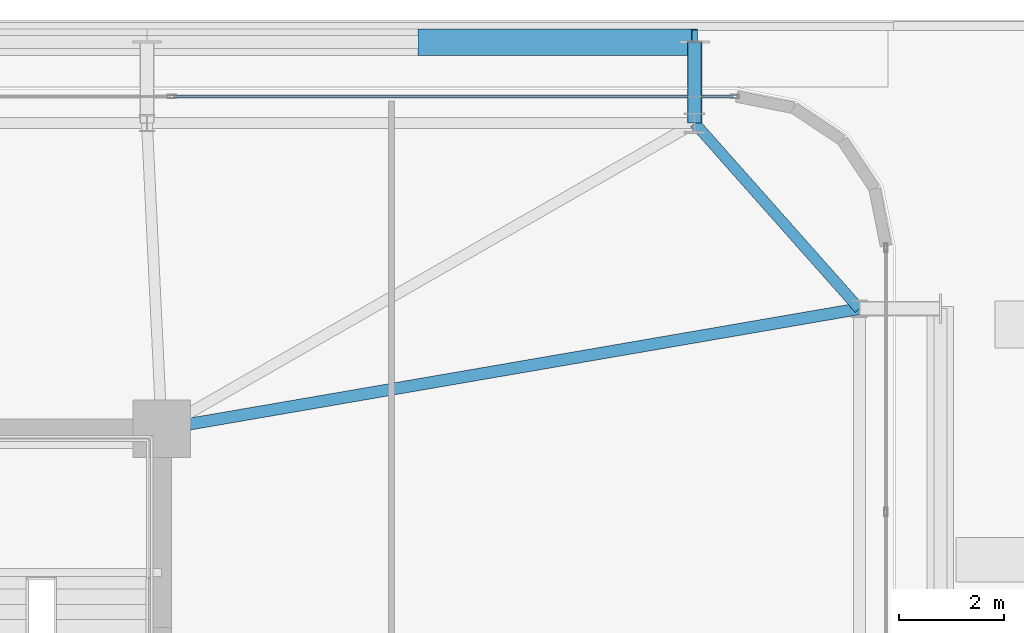
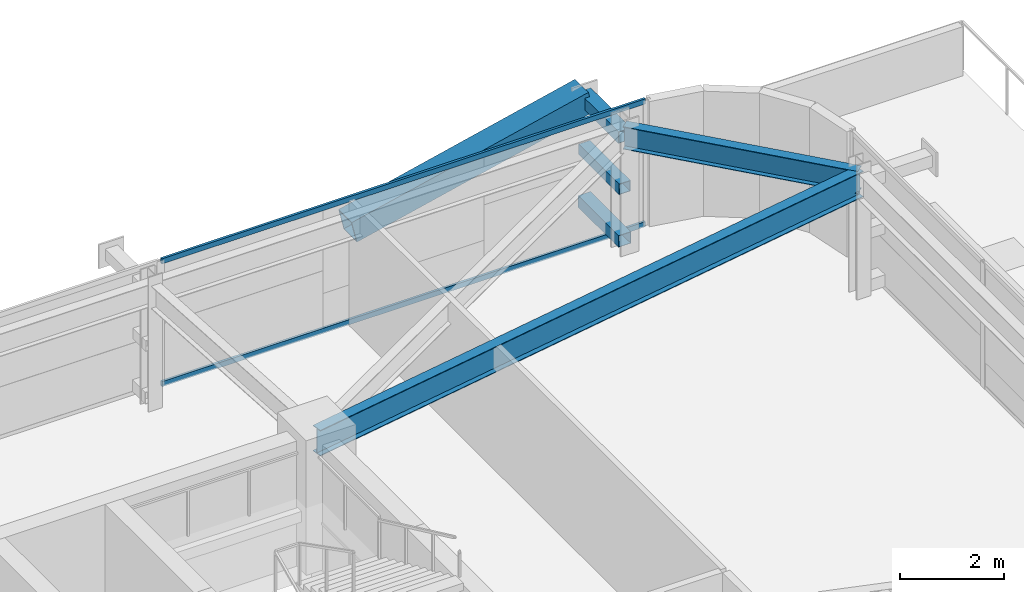
# One storey, part 31 of 56: 6 members, 2 beams, 1 element without a shape of its own.
"""IFC4 building model written with IfcOpenShell, lengths in metres."""

from ifc_helpers import new_model, si_unit, direction, frame, origin, origin_2d, place, context, subcontext, project, spatial, hollow_rectangle, i_section, extrude, source, transform, mapped, material, layer, layer_set, material_profile, profile_set, type_object, element, aggregate, save


model = new_model("IFC4")

# Units and contexts
model_context = context("Model", 3, precision=1e-05, world=origin(), true_north=direction((0.0, 1.0)))
body_context = subcontext(model_context, "Body", "Model", "MODEL_VIEW")
ifc_project = project(units=[si_unit("LENGTHUNIT", "METRE"), si_unit("AREAUNIT", "SQUARE_METRE"), si_unit("VOLUMEUNIT", "CUBIC_METRE"), si_unit("PLANEANGLEUNIT", "RADIAN"), si_unit("MASSUNIT", "GRAM", prefix="KILO")], contexts=[model_context])

# Site, building, storey
site_placement = place(None, origin())
site = spatial("IfcSite", under=ifc_project, at=site_placement, CompositionType="ELEMENT")
building_placement = place(site_placement, origin())
building = spatial("IfcBuilding", under=site, at=building_placement, Name="Taldren Reach Tower", CompositionType="ELEMENT")
storey_placement = place(building_placement, frame((0.0, 0.0, 16.800048828125)))
storey = spatial("IfcBuildingStorey", under=building, at=storey_placement, Name="L04", CompositionType="ELEMENT", Elevation=16.800048828125)

# Beams
ifc_material_1 = material(Name="Steel Gr 350 (350PLUS)", Category="steel")
ifc_material_profile_1 = material_profile(ifc_material_1, i_section(OverallWidth=0.208984375, OverallDepth=0.528076171875, WebThickness=0.009521484375, FlangeThickness=0.01318359375, at=origin_2d()), Name="530UB82.0")
ifc_profile_set_1 = profile_set([ifc_material_profile_1], Name="Steel Gr 350 (350PLUS)")
beam_type_1 = type_object("IfcBeamType", Name="SP-UB530B", PredefinedType="SPANDREL", material=ifc_profile_set_1)
shared_shape_1 = source(origin(), body_context, "Body", "SweptSolid", [
    extrude(i_section(OverallWidth=0.208984375, OverallDepth=0.528076171875, WebThickness=0.009521484375, FlangeThickness=0.01318359375, at=origin_2d()), origin(), (0.0, 0.0, 1.0), 4.74609375),
])
beam_1_placement = place(storey_placement, frame((64.35009765625, 34.300048828125, 2.666015625), z_axis=(-0.663721843779, 0.747979487747, 0.0), x_axis=(-0.747979487747, -0.663721843779, 0.0)))
element("IfcBeam", 1, at=beam_1_placement, inside=storey, type_object=beam_type_1, Name="Perimeter spandrel B1 E3-N6 L04", PredefinedType="SPANDREL", context=body_context, shape_type="MappedRepresentation", body=[
    mapped(shared_shape_1, transform((0.0, 0.0, 0.0), scale=1.0)),
])
ifc_material_profile_2 = material_profile(ifc_material_1, i_section(OverallWidth=0.22802734375, OverallDepth=0.60205078125, WebThickness=0.010498046875, FlangeThickness=0.014892578125, at=origin_2d()), Name="610UB101")
ifc_profile_set_2 = profile_set([ifc_material_profile_2], Name="Steel Gr 350 (350PLUS)")
beam_type_2 = type_object("IfcBeamType", Name="BM-UB610B", PredefinedType="BEAM", material=ifc_profile_set_2)
shared_shape_2 = source(origin(), body_context, "Body", "SweptSolid", [
    extrude(i_section(OverallWidth=0.22802734375, OverallDepth=0.60205078125, WebThickness=0.010498046875, FlangeThickness=0.014892578125, at=origin_2d()), origin(), (0.0, 0.0, 1.0), 13.546875),
])
beam_2_placement = place(storey_placement, frame((51.0, 32.0, 2.62890625), z_axis=(0.985481022998, 0.169785609847, 0.0), x_axis=(-0.169785609847, 0.985481022998, 0.0)))
element("IfcBeam", 2, at=beam_2_placement, inside=storey, type_object=beam_type_2, Name="Primary floor girder B1-E3 L04", PredefinedType="BEAM", context=body_context, shape_type="MappedRepresentation", body=[
    mapped(shared_shape_2, transform((0.0, 0.0, 0.0), scale=1.0)),
])

# Members
ifc_material_2 = material(Name="Steel Gr 450 (C450L0)", Category="steel")
ifc_material_profile_3 = material_profile(ifc_material_2, hollow_rectangle(XDim=0.27490234375, YDim=0.27490234375, WallThickness=0.00927734375, at=origin_2d()), Name="275x275x9.3SHS")
ifc_profile_set_3 = profile_set([ifc_material_profile_3], Name="Steel Gr 450 (C450L0)")
member_type_1 = type_object("IfcMemberType", Name="MB-TIE273", PredefinedType="STRUT", material=ifc_profile_set_3)
shared_shape_3 = source(origin(), body_context, "Body", "SweptSolid", [
    extrude(hollow_rectangle(XDim=0.27490234375, YDim=0.27490234375, WallThickness=0.00927734375, at=origin_2d()), origin(), (0.0, 0.0, 1.0), 1.5498046875),
])
for number, where, z_axis, x_axis, name in (
    (3, (61.199951171875, 37.85009765625, 2.64990234375), (0.0, 1.0, 0.0), (-1.0, 0.0, 0.0), "Exoskeleton diaphragm tie strut B1-N6 L04"),
    (4, (61.199951171875, 37.85009765625, 0.219970703125), (0.0, 1.0, 0.0), (-1.0, 0.0, 0.0), "Exoskeleton base diaphragm tie strut B1-N6 L04"),
):
    element("IfcMember", number, at=place(storey_placement, frame(where, z_axis=z_axis, x_axis=x_axis)), inside=storey, type_object=member_type_1, Name=name, PredefinedType="STRUT", context=body_context, shape_type="MappedRepresentation", body=[
        mapped(shared_shape_3, transform((0.0, 0.0, 0.0), scale=1.0)),
    ])
ifc_material_profile_4 = material_profile(ifc_material_2, hollow_rectangle(XDim=0.510009765625, YDim=0.510009765625, WallThickness=0.02001953125, at=origin_2d()), Name="510x510x20.0SHS")
ifc_profile_set_4 = profile_set([ifc_material_profile_4], Name="Steel Gr 450 (C450L0)")
member_type_2 = type_object("IfcMemberType", Name="MB-EXO508", PredefinedType="BRACE", material=ifc_profile_set_4)
shared_shape_4 = source(origin(), body_context, "Body", "SweptSolid", [
    extrude(hollow_rectangle(XDim=0.510009765625, YDim=0.510009765625, WallThickness=0.02001953125, at=origin_2d()), origin(), (0.0, 0.0, 1.0), 5.37890625),
])
member_1_placement = place(storey_placement, frame((55.9599609375, 39.39990234375, 1.43505859375), z_axis=(0.974161966843, 0.0, 0.225850531007), x_axis=(0.0, 1.0, 0.0)))
element("IfcMember", 5, at=member_1_placement, inside=storey, type_object=member_type_2, Name="Exoskeleton Diagrid Brace B1-N5 L04", PredefinedType="BRACE", context=body_context, shape_type="MappedRepresentation", body=[
    mapped(shared_shape_4, transform((0.0, 0.0, 0.0), scale=1.0)),
])
ifc_material_3 = material(Name="Steel Gr 350 (C350L0)", Category="steel")
ifc_material_profile_5 = material_profile(ifc_material_3, hollow_rectangle(XDim=0.25, YDim=0.25, WallThickness=0.010009765625, at=origin_2d()), Name="250x250x10.0SHS")
ifc_profile_set_5 = profile_set([ifc_material_profile_5], Name="Steel Gr 350 (C350L0)")
member_type_3 = type_object("IfcMemberType", Name="MB-POST250", PredefinedType="POST", material=ifc_profile_set_5)
shared_shape_5 = source(origin(), body_context, "Body", "SweptSolid", [
    extrude(hollow_rectangle(XDim=0.25, YDim=0.25, WallThickness=0.010009765625, at=origin_2d()), origin(), (0.0, 0.0, 1.0), 1.5498046875),
])
member_2_placement = place(storey_placement, frame((61.199951171875, 37.85009765625, 1.43505859375), z_axis=(0.0, 1.0, 0.0), x_axis=(-1.0, 0.0, 0.0)))
element("IfcMember", 6, at=member_2_placement, inside=storey, type_object=member_type_3, Name="Exoskeleton mid-tier diaphragm tie B1-N6 L04", PredefinedType="POST", context=body_context, shape_type="MappedRepresentation", body=[
    mapped(shared_shape_5, transform((0.0, 0.0, 0.0), scale=1.0)),
])

# Curtain wall, members
ifc_material_4 = material(Name="Aluminium and Low-E Glass Unitised System", Category="aluminium")
ifc_layer = layer(ifc_material_4, 0.159912109375)
ifc_layer_set = layer_set([ifc_layer], Name="Aluminium and Low-E Glass Unitised System")
curtain_wall_type = type_object("IfcCurtainWallType", Name="CW-SYS-2", PredefinedType="NOTDEFINED", material=ifc_layer_set)
curtain_wall_placement = place(storey_placement, origin())
curtain_wall = element("IfcCurtainWall", 7, at=curtain_wall_placement, inside=storey, type_object=curtain_wall_type, Name="Unitised curtain wall CW-L04-N", PredefinedType="NOTDEFINED")
ifc_material_5 = material(Name="Anodised Aluminium 6063-T6", Category="aluminium")
ifc_material_profile_6 = material_profile(ifc_material_5, hollow_rectangle(XDim=0.054931640625, YDim=0.1201171875, WallThickness=0.0029296875, at=origin_2d()), Name="ALU-120x55x3RHS")
ifc_profile_set_6 = profile_set([ifc_material_profile_6], Name="Anodised Aluminium 6063-T6")
member_type_4 = type_object("IfcMemberType", Name="CW-TRN-135", PredefinedType="USERDEFINED", material=ifc_profile_set_6)
shared_shape_6 = source(origin(), body_context, "Body", "SweptSolid", [
    extrude(hollow_rectangle(XDim=0.054931640625, YDim=0.1201171875, WallThickness=0.0029296875, at=origin_2d()), origin(), (0.0, 0.0, 1.0), 10.70263671875),
])
member_3_placement = place(storey_placement, frame((61.93505859375, 38.360107421875, 0.02734375), z_axis=(-1.0, 0.0, 0.0), x_axis=(0.0, -1.0, 0.0)))
member_3 = element("IfcMember", 8, at=member_3_placement, type_object=member_type_4, Name="CW-2 transom 1.1", ObjectType="TRANSOM", PredefinedType="USERDEFINED", context=body_context, shape_type="MappedRepresentation", body=[
    mapped(shared_shape_6, transform((0.0, 0.0, 0.0), scale=1.0)),
])
member_4_placement = place(storey_placement, frame((61.93505859375, 38.360107421875, 2.90234375), z_axis=(-1.0, 0.0, 0.0), x_axis=(0.0, -1.0, 0.0)))
member_4 = element("IfcMember", 9, at=member_4_placement, type_object=member_type_4, Name="CW-2 transom 1.2", ObjectType="TRANSOM", PredefinedType="USERDEFINED", context=body_context, shape_type="MappedRepresentation", body=[
    mapped(shared_shape_6, transform((0.0, 0.0, 0.0), scale=1.0)),
])
aggregate(curtain_wall, [member_3, member_4])

save(model, "model.ifc")
